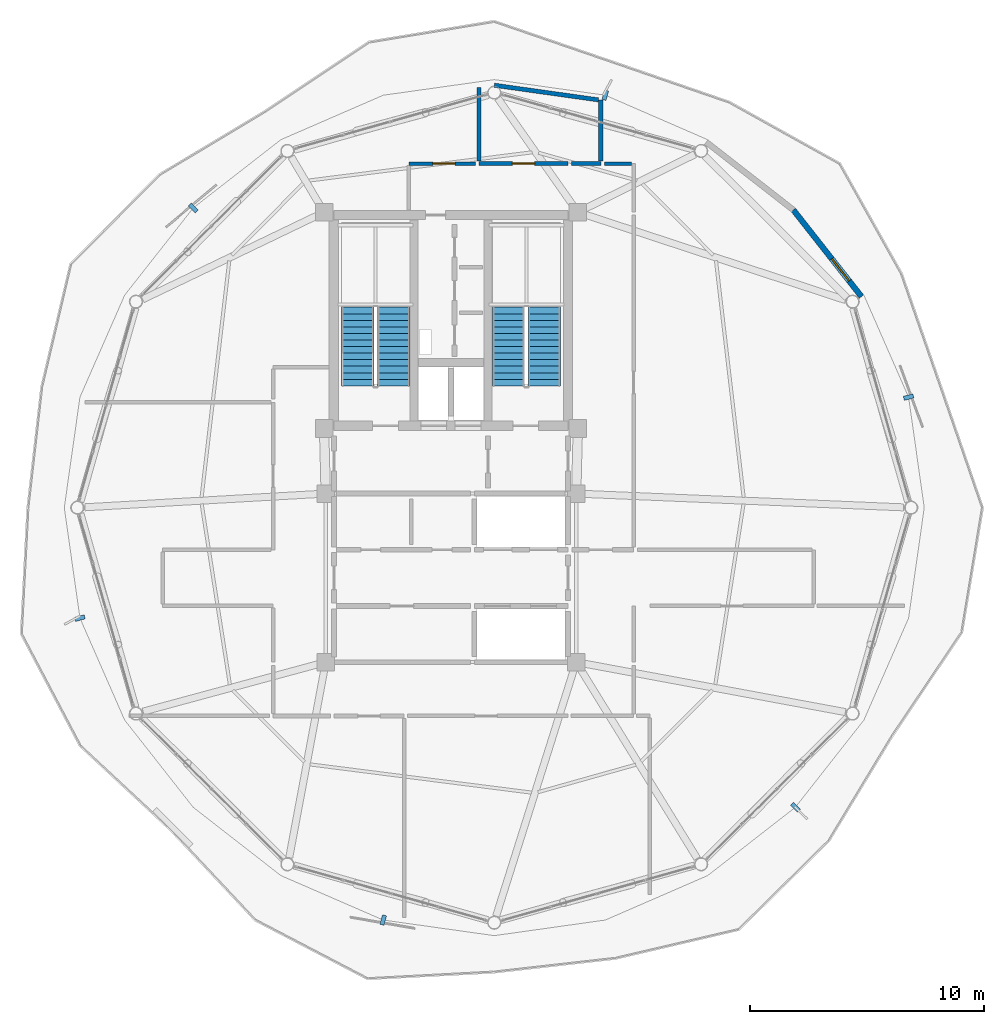
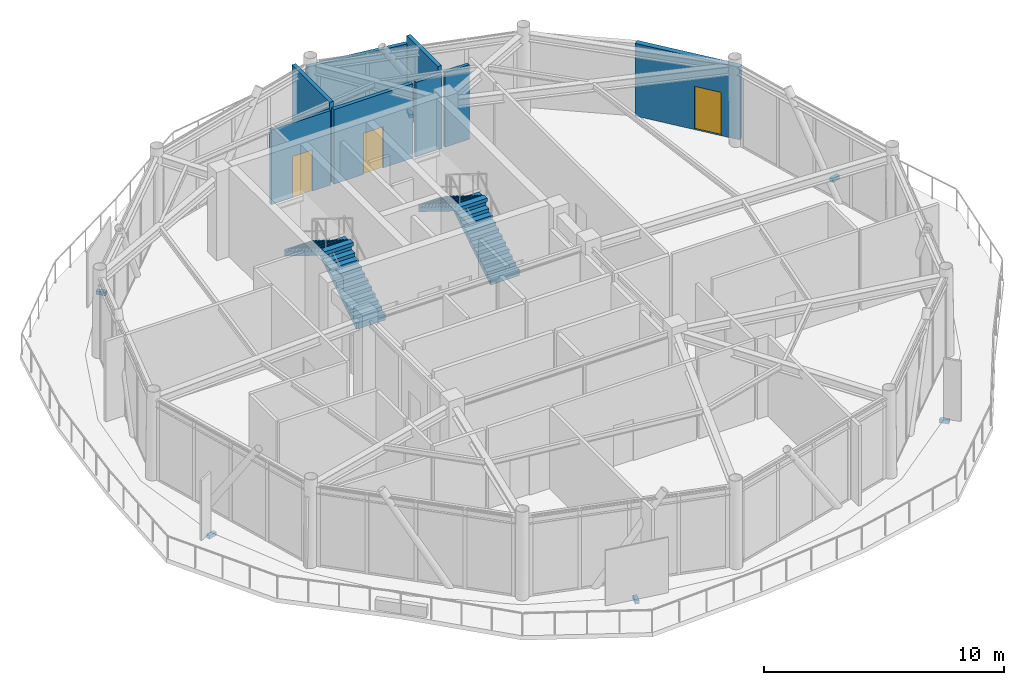
# One storey, part 20 of 24: 8 walls, 6 discrete accessories, 4 stair flights, 3 doors, 3 openings, 2 elements without a shape of their own.
"""IFC4 building model written with IfcOpenShell, lengths in metres."""

from ifc_helpers import new_model, si_unit, direction, frame, frame_2d, origin, origin_2d, place, context, subcontext, project, spatial, polyline, rectangle, outline, extrude, source, transform, mapped, material, layer, layer_set, type_object, type_shapes, element, fill, aggregate, save


model = new_model("IFC4")

# Units and contexts
model_context = context("Model", 3, precision=1e-05, world=origin(), true_north=direction((0.0, 1.0)))
body_context = subcontext(model_context, "Body", "Model", "MODEL_VIEW")
ifc_project = project(units=[si_unit("LENGTHUNIT", "METRE"), si_unit("AREAUNIT", "SQUARE_METRE"), si_unit("VOLUMEUNIT", "CUBIC_METRE"), si_unit("PLANEANGLEUNIT", "RADIAN"), si_unit("MASSUNIT", "GRAM", prefix="KILO")], contexts=[model_context])

# Site, building, storey
site_placement = place(None, origin())
site = spatial("IfcSite", under=ifc_project, at=site_placement, CompositionType="ELEMENT")
building_placement = place(site_placement, origin())
building = spatial("IfcBuilding", under=site, at=building_placement, Name="Varnakorn Sky Granary", CompositionType="ELEMENT")
storey_placement = place(building_placement, frame((0.0, 0.0, 285.0)))
storey = spatial("IfcBuildingStorey", under=building, at=storey_placement, Name="L73", CompositionType="ELEMENT", Elevation=285.0)

# Wall, opening, door
ifc_material_1 = material(Name="Precast concrete C40/50", Category="concrete")
ifc_layer_1 = layer(ifc_material_1, 0.239990234375, Name="Precast concrete C40/50")
ifc_layer_set_1 = layer_set([ifc_layer_1], Name="Precast concrete C40/50")
wall_type_1 = type_object("IfcWallType", Name="WT-EW-BAL-260", PredefinedType="SOLIDWALL", material=ifc_layer_set_1)
wall_1_placement = place(storey_placement, frame((17.6259765625, 12.716552734375, 0.0), z_axis=(0.0, 0.0, 1.0), x_axis=(0.618027596774, -0.786156402776, 0.0)))
wall_1 = element("IfcWall", 1, at=wall_1_placement, inside=storey, type_object=wall_type_1, Name="Balcony Threshold Facade Wall L73-B02A", PredefinedType="SOLIDWALL", context=body_context, shape_type="SweptSolid", body=[
    extrude(rectangle(XDim=4.709228515625, YDim=0.239990234375, at=frame_2d((2.3544921875, 0.0))), origin(), (0.0, 0.0, 1.0), 3.68994140625),
])
opening_1_placement = place(wall_1_placement, frame((2.658935546875, 0.0, 0.0)))
opening_1 = element("IfcOpeningElement", 2, at=opening_1_placement, cuts=wall_1, Name="Opening BD-01", PredefinedType="OPENING", context=body_context, shape_type="SweptSolid", body=[
    extrude(rectangle(XDim=1.199951171875, YDim=2.199951171875, at=frame_2d((0.60009765625, 1.10009765625))), frame((0.0, 0.1298828125, 0.0), z_axis=(0.0, -1.0, 0.0), x_axis=(1.0, 0.0, 0.0)), (0.0, 0.0, 1.0), 0.260009765625),
])
ifc_material_2 = material(Name="Anodised Bronze Aluminium Alloy 6063-T6", Category="aluminium")
door_type_1 = type_object("IfcDoorType", Name="DR-BAL-1200", OperationType="NOTDEFINED", PredefinedType="DOOR", material=ifc_material_2)
door_1_placement = place(opening_1_placement, origin())
door_1 = element("IfcDoor", 3, at=door_1_placement, inside=storey, type_object=door_type_1, Name="Sky-Farm Balcony Access Door L73", OperationType="SINGLE_SWING_LEFT", OverallHeight=2.199951171875, OverallWidth=1.199951171875, PredefinedType="DOOR", context=body_context, shape_type="SweptSolid", body=[
    extrude(rectangle(XDim=1.199951171875, YDim=2.199951171875, at=frame_2d((0.60009765625, 1.10009765625))), frame((0.0, 0.02490234375, 0.0), z_axis=(0.0, -1.0, 0.0), x_axis=(1.0, 0.0, 0.0)), (0.0, 0.0, 1.0), 0.050048828125),
])
fill(opening_1, door_1)

ifc_material_3 = material(Name="Gypsum Plasterboard on Steel Stud", Category="steel")
ifc_layer_2 = layer(ifc_material_3, 0.14990234375, Name="Gypsum Plasterboard on Steel Stud")
ifc_layer_set_2 = layer_set([ifc_layer_2], Name="Gypsum Plasterboard on Steel Stud")
wall_type_2 = type_object("IfcWallType", Name="WT-PART-150", PredefinedType="PARTITIONING", material=ifc_layer_set_2)
wall_2_placement = place(storey_placement, frame((4.050048828125, 14.699951171875, 0.0), z_axis=(0.0, 0.0, 1.0), x_axis=(-1.0, 0.0, 0.0)))
wall_2 = element("IfcWall", 4, at=wall_2_placement, inside=storey, type_object=wall_type_2, Name="Interior Partition Wall L73-024", PredefinedType="PARTITIONING", context=body_context, shape_type="SweptSolid", body=[
    extrude(rectangle(XDim=2.85009765625, YDim=0.14990234375, at=frame_2d((1.425048828125, 0.0))), origin(), (0.0, 0.0, 1.0), 3.7919921875),
])
opening_2_placement = place(wall_2_placement, frame((0.875, 0.0, 0.0)))
opening_2 = element("IfcOpeningElement", 5, at=opening_2_placement, cuts=wall_2, Name="Opening ID-95", PredefinedType="OPENING", context=body_context, shape_type="SweptSolid", body=[
    extrude(rectangle(XDim=0.949951171875, YDim=2.10009765625, at=frame_2d((0.47509765625, 1.050048828125))), frame((0.0, 0.0849609375, 0.0), z_axis=(0.0, -1.0, 0.0), x_axis=(1.0, 0.0, 0.0)), (0.0, 0.0, 1.0), 0.169921875),
])
ifc_material_4 = material(Name="Solid-Core Teak Veneer Leaf", Category="timber")
door_type_2 = type_object("IfcDoorType", Name="DR-INT-950", OperationType="NOTDEFINED", PredefinedType="DOOR", material=ifc_material_4)
door_2_placement = place(opening_2_placement, origin())
door_2 = element("IfcDoor", 6, at=door_2_placement, inside=storey, type_object=door_type_2, Name="Interior Door L73-024-1", OperationType="SINGLE_SWING_RIGHT", OverallHeight=2.10009765625, OverallWidth=0.949951171875, PredefinedType="DOOR", context=body_context, shape_type="SweptSolid", body=[
    extrude(rectangle(XDim=0.949951171875, YDim=2.10009765625, at=frame_2d((0.47509765625, 1.050048828125))), frame((0.0, 0.02490234375, 0.0), z_axis=(0.0, -1.0, 0.0), x_axis=(1.0, 0.0, 0.0)), (0.0, 0.0, 1.0), 0.050048828125),
])
fill(opening_2, door_2)

# Wall
wall_3_placement = place(storey_placement, frame((10.715087890625, 14.699951171875, 0.0), z_axis=(0.0, 0.0, 1.0), x_axis=(-1.0, 0.0, 0.0)))
element("IfcWall", 7, at=wall_3_placement, inside=storey, type_object=wall_type_2, Name="Interior Partition Wall L73-054", PredefinedType="PARTITIONING", context=body_context, shape_type="SweptSolid", body=[
    extrude(rectangle(XDim=1.1650390625, YDim=0.14990234375, at=frame_2d((0.58251953125, 0.0))), origin(), (0.0, 0.0, 1.0), 3.7919921875),
])

# Wall, opening, door
ifc_material_5 = material(Name="Moisture-Resistant Gypsum on Stud", Category="gypsum")
ifc_layer_3 = layer(ifc_material_5, 0.179931640625, Name="Moisture-Resistant Gypsum on Stud")
ifc_layer_set_3 = layer_set([ifc_layer_3], Name="Moisture-Resistant Gypsum on Stud")
wall_type_3 = type_object("IfcWallType", Name="WT-PLUMB-180", PredefinedType="PLUMBINGWALL", material=ifc_layer_set_3)
wall_4_placement = place(storey_placement, frame((8.0, 14.699951171875, 0.0), z_axis=(0.0, 0.0, 1.0), x_axis=(-1.0, 0.0, 0.0)))
wall_4 = element("IfcWall", 8, at=wall_4_placement, inside=storey, type_object=wall_type_3, Name="Interior Partition Wall L73-019", PredefinedType="PLUMBINGWALL", context=body_context, shape_type="SweptSolid", body=[
    extrude(rectangle(XDim=3.800048828125, YDim=0.179931640625, at=frame_2d((1.89990234375, 0.0))), origin(), (0.0, 0.0, 1.0), 3.7919921875),
])
opening_3_placement = place(wall_4_placement, frame((1.425048828125, 0.0, 0.0)))
opening_3 = element("IfcOpeningElement", 9, at=opening_3_placement, cuts=wall_4, Name="Opening ID-95", PredefinedType="OPENING", context=body_context, shape_type="SweptSolid", body=[
    extrude(rectangle(XDim=0.949951171875, YDim=2.10009765625, at=frame_2d((0.47509765625, 1.050048828125))), frame((0.0, 0.10009765625, 0.0), z_axis=(0.0, -1.0, 0.0), x_axis=(1.0, 0.0, 0.0)), (0.0, 0.0, 1.0), 0.199951171875),
])
door_3_placement = place(opening_3_placement, origin())
door_3 = element("IfcDoor", 10, at=door_3_placement, inside=storey, type_object=door_type_2, Name="Interior Door L73-019-1", OperationType="SINGLE_SWING_LEFT", OverallHeight=2.10009765625, OverallWidth=0.949951171875, PredefinedType="DOOR", context=body_context, shape_type="SweptSolid", body=[
    extrude(rectangle(XDim=0.949951171875, YDim=2.10009765625, at=frame_2d((0.47509765625, 1.050048828125))), frame((0.0, 0.02490234375, 0.0), z_axis=(0.0, -1.0, 0.0), x_axis=(1.0, 0.0, 0.0)), (0.0, 0.0, 1.0), 0.050048828125),
])
fill(opening_3, door_3)

# Walls
wall_5_placement = place(storey_placement, frame((9.39990234375, 14.699951171875, 0.0), z_axis=(0.0, 0.0, 1.0), x_axis=(-1.0, 0.0, 0.0)))
element("IfcWall", 11, at=wall_5_placement, inside=storey, type_object=wall_type_3, Name="Interior Partition Wall L73-033", PredefinedType="PLUMBINGWALL", context=body_context, shape_type="SweptSolid", body=[
    extrude(rectangle(XDim=1.25, YDim=0.179931640625, at=frame_2d((0.625, 0.0))), origin(), (0.0, 0.0, 1.0), 3.7919921875),
])
wall_6_placement = place(storey_placement, frame((4.199951171875, 17.952880859375, 0.0), z_axis=(0.0, 0.0, 1.0), x_axis=(0.0, -1.0, 0.0)))
element("IfcWall", 12, at=wall_6_placement, inside=storey, type_object=wall_type_3, Name="Interior Partition Wall L73-052", PredefinedType="PLUMBINGWALL", context=body_context, shape_type="SweptSolid", body=[
    extrude(rectangle(XDim=3.15283203125, YDim=0.179931640625, at=frame_2d((1.576416015625, 0.0))), origin(), (0.0, 0.0, 1.0), 4.080078125),
])
wall_7_placement = place(storey_placement, frame((9.39990234375, 14.800048828125, 0.0), z_axis=(0.0, 0.0, 1.0), x_axis=(0.0, 1.0, 0.0)))
element("IfcWall", 13, at=wall_7_placement, inside=storey, type_object=wall_type_3, Name="Interior Partition Wall L73-057", PredefinedType="PLUMBINGWALL", context=body_context, shape_type="SweptSolid", body=[
    extrude(rectangle(XDim=2.60400390625, YDim=0.179931640625, at=frame_2d((1.302001953125, 0.0))), origin(), (0.0, 0.0, 1.0), 4.080078125),
])
wall_8_placement = place(storey_placement, frame((9.301025390625, 17.41796875, 0.0), z_axis=(0.0, 0.0, 1.0), x_axis=(-0.990254589148, 0.139268979572, 0.0)))
element("IfcWall", 14, at=wall_8_placement, inside=storey, type_object=wall_type_3, Name="Interior Partition Wall L73-058", PredefinedType="PLUMBINGWALL", context=body_context, shape_type="SweptSolid", body=[
    extrude(rectangle(XDim=4.49462890625, YDim=0.179931640625, at=frame_2d((2.247314453125, 0.0))), origin(), (0.0, 0.0, 1.0), 3.701904296875),
])

# Stair, stair flights
ifc_material_6 = material(Name="Concrete C40/50", Category="concrete")
stair_type = type_object("IfcStairType", Name="ST-MAIN-ASSEMBLY", PredefinedType="HALF_TURN_STAIR", material=ifc_material_6)
stair_1_placement = place(storey_placement, origin())
stair_1 = element("IfcStair", 15, at=stair_1_placement, inside=storey, type_object=stair_type, Name="L73 Protected Exit Stair ST-1", PredefinedType="HALF_TURN_STAIR")
stair_flight_type = type_object("IfcStairFlightType", Name="ST-MAIN-FLIGHT", PredefinedType="STRAIGHT", material=ifc_material_6)
stair_flight_1_placement = place(storey_placement, frame((0.550048828125, 5.199951171875, 0.0), z_axis=(0.0, 0.0, 1.0), x_axis=(0.0, 1.0, 0.0)))
stair_flight_1 = element("IfcStairFlight", 16, at=stair_flight_1_placement, type_object=stair_flight_type, Name="ST-1 flight 1", NumberOfRisers=13, NumberOfTreads=12, PredefinedType="STRAIGHT", RiserHeight=0.173076923, TreadLength=0.28, context=body_context, shape_type="SweptSolid", body=[
    extrude(outline(polyline([(0.0, -0.14990234375), (0.0, 0.0), (0.0, 0.173095703125), (0.280029296875, 0.173095703125), (0.280029296875, 0.34619140625), (0.56005859375, 0.34619140625), (0.56005859375, 0.519287109375), (0.840087890625, 0.519287109375), (0.840087890625, 0.6923828125), (1.1201171875, 0.6923828125), (1.1201171875, 0.865478515625), (1.39990234375, 0.865478515625), (1.39990234375, 1.03857421875), (1.679931640625, 1.03857421875), (1.679931640625, 1.21142578125), (1.9599609375, 1.21142578125), (1.9599609375, 1.384521484375), (2.239990234375, 1.384521484375), (2.239990234375, 1.5576171875), (2.52001953125, 1.5576171875), (2.52001953125, 1.730712890625), (2.800048828125, 1.730712890625), (2.800048828125, 1.90380859375), (3.080078125, 1.90380859375), (3.080078125, 2.076904296875), (3.360107421875, 2.076904296875), (3.360107421875, 2.25), (3.360107421875, 1.900634765625), (0.050048828125, -0.14990234375), (0.0, -0.14990234375)])), frame((0.0, 0.68994140625, 0.0), z_axis=(0.0, -1.0, 0.0), x_axis=(1.0, 0.0, 0.0)), (0.0, 0.0, 1.0), 1.3798828125),
])
stair_flight_2_placement = place(storey_placement, frame((-0.97998046875, 8.56005859375, 2.25), z_axis=(0.0, 0.0, 1.0), x_axis=(0.0, -1.0, 0.0)))
stair_flight_2 = element("IfcStairFlight", 17, at=stair_flight_2_placement, type_object=stair_flight_type, Name="ST-1 flight 2", NumberOfRisers=13, NumberOfTreads=12, PredefinedType="STRAIGHT", RiserHeight=0.173076923, TreadLength=0.28, context=body_context, shape_type="SweptSolid", body=[
    extrude(outline(polyline([(0.0, -0.14990234375), (0.0, 0.0), (0.0, 0.173095703125), (0.280029296875, 0.173095703125), (0.280029296875, 0.34619140625), (0.56005859375, 0.34619140625), (0.56005859375, 0.519287109375), (0.840087890625, 0.519287109375), (0.840087890625, 0.6923828125), (1.1201171875, 0.6923828125), (1.1201171875, 0.865478515625), (1.39990234375, 0.865478515625), (1.39990234375, 1.03857421875), (1.679931640625, 1.03857421875), (1.679931640625, 1.21142578125), (1.9599609375, 1.21142578125), (1.9599609375, 1.384521484375), (2.239990234375, 1.384521484375), (2.239990234375, 1.5576171875), (2.52001953125, 1.5576171875), (2.52001953125, 1.730712890625), (2.800048828125, 1.730712890625), (2.800048828125, 1.90380859375), (3.080078125, 1.90380859375), (3.080078125, 2.076904296875), (3.360107421875, 2.076904296875), (3.360107421875, 2.25), (3.360107421875, 1.900634765625), (0.050048828125, -0.14990234375), (0.0, -0.14990234375)])), frame((0.0, 0.68994140625, 0.0), z_axis=(0.0, -1.0, 0.0), x_axis=(1.0, 0.0, 0.0)), (0.0, 0.0, 1.0), 1.3798828125),
])
aggregate(stair_1, [stair_flight_1, stair_flight_2])

stair_2_placement = place(storey_placement, origin())
stair_2 = element("IfcStair", 18, at=stair_2_placement, inside=storey, type_object=stair_type, Name="L73 Protected Exit Stair ST-2", PredefinedType="HALF_TURN_STAIR")
stair_flight_3_placement = place(storey_placement, frame((6.989990234375, 5.199951171875, 0.0), z_axis=(0.0, 0.0, 1.0), x_axis=(0.0, 1.0, 0.0)))
stair_flight_3 = element("IfcStairFlight", 19, at=stair_flight_3_placement, type_object=stair_flight_type, Name="ST-2 flight 1", NumberOfRisers=13, NumberOfTreads=12, PredefinedType="STRAIGHT", RiserHeight=0.173076923, TreadLength=0.28, context=body_context, shape_type="SweptSolid", body=[
    extrude(outline(polyline([(0.0, -0.14990234375), (0.0, 0.0), (0.0, 0.173095703125), (0.280029296875, 0.173095703125), (0.280029296875, 0.34619140625), (0.56005859375, 0.34619140625), (0.56005859375, 0.519287109375), (0.840087890625, 0.519287109375), (0.840087890625, 0.6923828125), (1.1201171875, 0.6923828125), (1.1201171875, 0.865478515625), (1.39990234375, 0.865478515625), (1.39990234375, 1.03857421875), (1.679931640625, 1.03857421875), (1.679931640625, 1.21142578125), (1.9599609375, 1.21142578125), (1.9599609375, 1.384521484375), (2.239990234375, 1.384521484375), (2.239990234375, 1.5576171875), (2.52001953125, 1.5576171875), (2.52001953125, 1.730712890625), (2.800048828125, 1.730712890625), (2.800048828125, 1.90380859375), (3.080078125, 1.90380859375), (3.080078125, 2.076904296875), (3.360107421875, 2.076904296875), (3.360107421875, 2.25), (3.360107421875, 1.900634765625), (0.050048828125, -0.14990234375), (0.0, -0.14990234375)])), frame((0.0, 0.68994140625, 0.0), z_axis=(0.0, -1.0, 0.0), x_axis=(1.0, 0.0, 0.0)), (0.0, 0.0, 1.0), 1.3798828125),
])
stair_flight_4_placement = place(storey_placement, frame((5.4599609375, 8.56005859375, 2.25), z_axis=(0.0, 0.0, 1.0), x_axis=(0.0, -1.0, 0.0)))
stair_flight_4 = element("IfcStairFlight", 20, at=stair_flight_4_placement, type_object=stair_flight_type, Name="ST-2 flight 2", NumberOfRisers=13, NumberOfTreads=12, PredefinedType="STRAIGHT", RiserHeight=0.173076923, TreadLength=0.28, context=body_context, shape_type="SweptSolid", body=[
    extrude(outline(polyline([(0.0, -0.14990234375), (0.0, 0.0), (0.0, 0.173095703125), (0.280029296875, 0.173095703125), (0.280029296875, 0.34619140625), (0.56005859375, 0.34619140625), (0.56005859375, 0.519287109375), (0.840087890625, 0.519287109375), (0.840087890625, 0.6923828125), (1.1201171875, 0.6923828125), (1.1201171875, 0.865478515625), (1.39990234375, 0.865478515625), (1.39990234375, 1.03857421875), (1.679931640625, 1.03857421875), (1.679931640625, 1.21142578125), (1.9599609375, 1.21142578125), (1.9599609375, 1.384521484375), (2.239990234375, 1.384521484375), (2.239990234375, 1.5576171875), (2.52001953125, 1.5576171875), (2.52001953125, 1.730712890625), (2.800048828125, 1.730712890625), (2.800048828125, 1.90380859375), (3.080078125, 1.90380859375), (3.080078125, 2.076904296875), (3.360107421875, 2.076904296875), (3.360107421875, 2.25), (3.360107421875, 1.900634765625), (0.050048828125, -0.14990234375), (0.0, -0.14990234375)])), frame((0.0, 0.68994140625, 0.0), z_axis=(0.0, -1.0, 0.0), x_axis=(1.0, 0.0, 0.0)), (0.0, 0.0, 1.0), 1.3798828125),
])
aggregate(stair_2, [stair_flight_3, stair_flight_4])

# Discrete accessories
ifc_material_7 = material(Name="Steel S355JR", Category="steel")
discrete_accessory_type = type_object("IfcDiscreteAccessoryType", Name="AC-BRK-01", PredefinedType="BRACKET", material=ifc_material_7)
shared_shape = source(origin(), body_context, "Body", "SweptSolid", [
    extrude(rectangle(XDim=0.179931640625, YDim=0.419921875, at=origin_2d()), origin(), (0.0, 0.0, 1.0), 0.179931640625),
])
type_shapes(discrete_accessory_type, [shared_shape])
for number, where, z_axis, x_axis, name in (
    (21, (22.548583984375, 4.720458984375, -0.2001953125), (0.0, 0.0, 1.0), (-0.257702668075, 0.966224267376, 0.0), "Facade Solar-Screen Outrigger Bracket L73-01"),
    (22, (9.592529296875, 17.617431640625, -0.2001953125), (0.0, 0.0, 1.0), (-0.965625027059, 0.259939045003, 0.0), "Facade Solar-Screen Outrigger Bracket L73-03"),
    (23, (-8.010986328125, 12.80126953125, -0.2001953125), (0.0, 0.0, 1.0), (-0.705457245124, -0.708752478163, 0.0), "Facade Solar-Screen Outrigger Bracket L73-05"),
    (24, (-12.8486328125, -4.720458984375, -0.2001953125), (0.0, 0.0, 1.0), (0.257702668075, -0.966224267376, 0.0), "Facade Solar-Screen Outrigger Bracket L73-07"),
    (25, (0.107421875, -17.617431640625, -0.2001953125), (0.0, 0.0, 1.0), (0.965625027059, -0.259939045003, 0.0), "Facade Solar-Screen Outrigger Bracket L73-09"),
    (26, (17.711181640625, -12.80126953125, -0.2001953125), (0.0, 0.0, 1.0), (0.705457245124, 0.708752478163, 0.0), "Facade Solar-Screen Outrigger Bracket L73-11"),
):
    element("IfcDiscreteAccessory", number, at=place(storey_placement, frame(where, z_axis=z_axis, x_axis=x_axis)), inside=storey, type_object=discrete_accessory_type, Name=name, PredefinedType="BRACKET", context=body_context, shape_type="MappedRepresentation", body=[
        mapped(shared_shape, transform((0.0, 0.0, 0.0), x_axis=(1.0, 0.0, 0.0), y_axis=(0.0, 1.0, 0.0), z_axis=(0.0, 0.0, 1.0), scale=1.0)),
    ])

save(model, "model.ifc")
